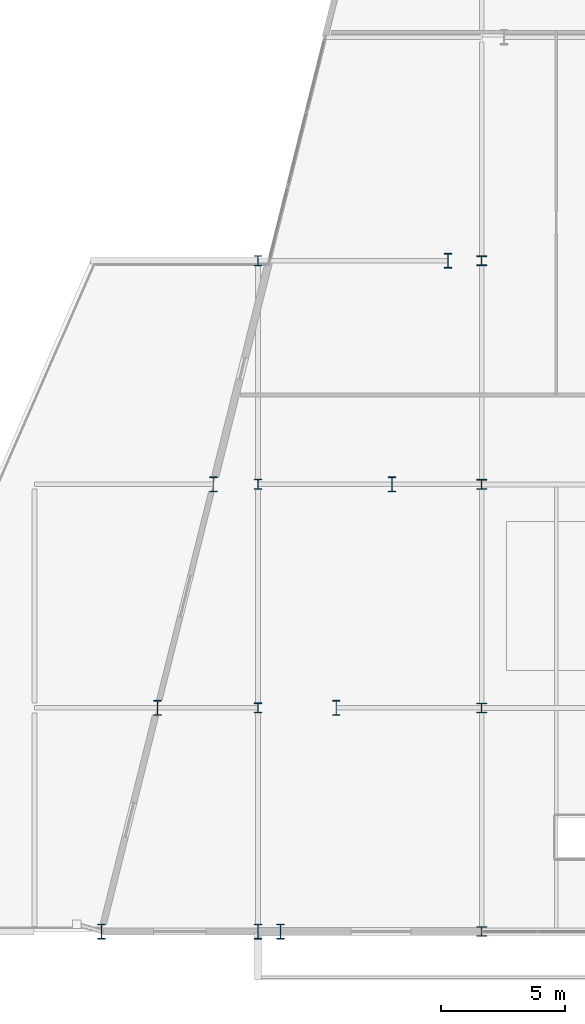
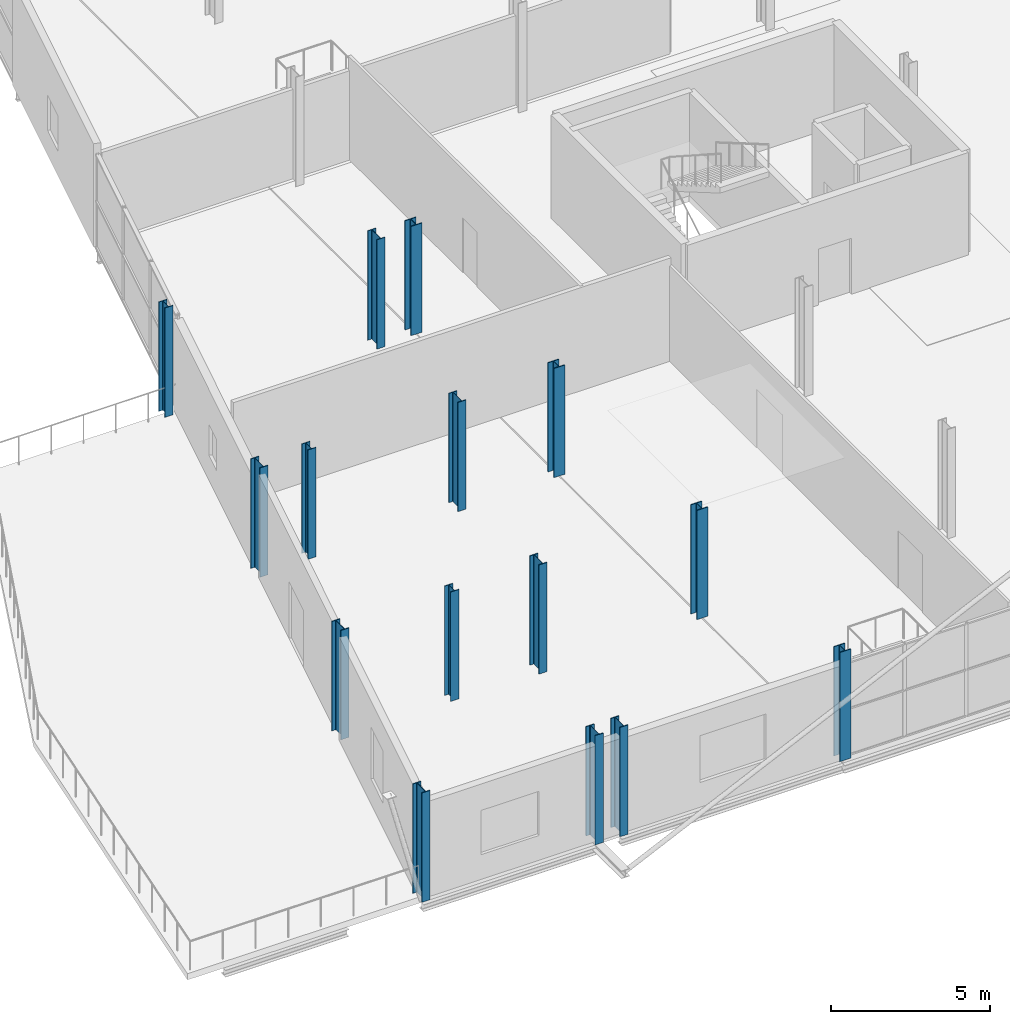
# One storey, part 2 of 59: 15 columns.
"""IFC4 building model written with IfcOpenShell, lengths in metres."""

from ifc_helpers import new_model, si_unit, direction, frame, origin, origin_2d, place, context, subcontext, project, spatial, i_section, extrude, material, material_profile, profile_set, type_object, element, save


model = new_model("IFC4")

# Units and contexts
model_context = context("Model", 3, precision=1e-05, world=origin(), true_north=direction((0.0, 1.0)))
body_context = subcontext(model_context, "Body", "Model", "MODEL_VIEW")
ifc_project = project(units=[si_unit("LENGTHUNIT", "METRE"), si_unit("AREAUNIT", "SQUARE_METRE"), si_unit("VOLUMEUNIT", "CUBIC_METRE"), si_unit("PLANEANGLEUNIT", "RADIAN"), si_unit("MASSUNIT", "GRAM", prefix="KILO")], contexts=[model_context])

# Site, building, storey
site_placement = place(None, origin())
site = spatial("IfcSite", under=ifc_project, at=site_placement, CompositionType="ELEMENT")
building_placement = place(site_placement, origin())
building = spatial("IfcBuilding", under=site, at=building_placement, Name="Deido Ridge Mobility Hub", CompositionType="ELEMENT")
storey_placement = place(building_placement, frame((0.0, 0.0, 21.0)))
storey = spatial("IfcBuildingStorey", under=building, at=storey_placement, Name="L05", CompositionType="ELEMENT", Elevation=21.0)

# Columns
ifc_material = material(Name="Steel S355J2 EN 10025-2", Category="steel")
ifc_material_profile_1 = material_profile(ifc_material, i_section(OverallWidth=0.39892578125, OverallDepth=0.39306640625, WebThickness=0.017578125, FlangeThickness=0.028076171875, FilletRadius=0.014892578125, at=origin_2d()), Name="HD 400x287")
ifc_profile_set_1 = profile_set([ifc_material_profile_1], Name="Steel S355J2 EN 10025-2")
column_type_1 = type_object("IfcColumnType", Name="COL-HD400-287", PredefinedType="COLUMN", material=ifc_profile_set_1)
for number, where, z_axis, x_axis, name in (
    (1, (144.0, 0.0, 0.0), (0.0, 0.0, 1.0), (1.0, 0.0, 0.0), "Structural column C2"),
    (2, (144.0, 9.0, 0.0), (0.0, 0.0, 1.0), (1.0, 0.0, 0.0), "Structural column C2"),
    (3, (144.0, 18.0, 0.0), (0.0, 0.0, 1.0), (1.0, 0.0, 0.0), "Structural column C2"),
    (4, (144.0, 27.0, 0.0), (0.0, 0.0, 1.0), (1.0, 0.0, 0.0), "Structural column C2"),
):
    element("IfcColumn", number, at=place(storey_placement, frame(where, z_axis=z_axis, x_axis=x_axis)), inside=storey, type_object=column_type_1, Name=name, PredefinedType="COLUMN", context=body_context, shape_type="SweptSolid", body=[
        extrude(i_section(OverallWidth=0.39892578125, OverallDepth=0.39306640625, WebThickness=0.017578125, FlangeThickness=0.028076171875, FilletRadius=0.014892578125, at=origin_2d()), origin(), (0.0, 0.0, 1.0), 4.199951171875),
    ])
ifc_material_profile_2 = material_profile(ifc_material, i_section(OverallWidth=0.300048828125, OverallDepth=0.39990234375, WebThickness=0.013427734375, FlangeThickness=0.02392578125, FilletRadius=0.027099609375, at=origin_2d()), Name="HEB 400")
ifc_profile_set_2 = profile_set([ifc_material_profile_2], Name="Steel S355J2 EN 10025-2")
column_type_2 = type_object("IfcColumnType", Name="COL-HEB400", PredefinedType="COLUMN", material=ifc_profile_set_2)
for number, where, z_axis, x_axis, name in (
    (5, (135.0, 9.0, 0.0), (0.0, 0.0, 1.0), (1.0, 0.0, 0.0), "Structural column C7"),
    (6, (135.0, 18.0, 0.0), (0.0, 0.0, 1.0), (1.0, 0.0, 0.0), "Structural column C7"),
    (7, (135.0, 27.0, 0.0), (0.0, 0.0, 1.0), (1.0, 0.0, 0.0), "Structural column C7"),
):
    element("IfcColumn", number, at=place(storey_placement, frame(where, z_axis=z_axis, x_axis=x_axis)), inside=storey, type_object=column_type_2, Name=name, PredefinedType="COLUMN", context=body_context, shape_type="SweptSolid", body=[
        extrude(i_section(OverallWidth=0.300048828125, OverallDepth=0.39990234375, WebThickness=0.013427734375, FlangeThickness=0.02392578125, FilletRadius=0.027099609375, at=origin_2d()), origin(), (0.0, 0.0, 1.0), 4.199951171875),
    ])
ifc_material_profile_3 = material_profile(ifc_material, i_section(OverallWidth=0.300048828125, OverallDepth=0.60009765625, WebThickness=0.015380859375, FlangeThickness=0.030029296875, FilletRadius=0.027099609375, at=origin_2d()), Name="HEB 600")
ifc_profile_set_3 = profile_set([ifc_material_profile_3], Name="Steel S355J2 EN 10025-2")
column_type_3 = type_object("IfcColumnType", Name="COL-HEB600", PredefinedType="COLUMN", material=ifc_profile_set_3)
for number, where, z_axis, x_axis, name in (
    (8, (128.699951171875, 0.0, 0.0), (0.0, 0.0, 1.0), (1.0, 0.0, 0.0), "Structural column C4"),
    (9, (135.0, 0.0, 0.0), (0.0, 0.0, 1.0), (1.0, 0.0, 0.0), "Structural column C4"),
    (10, (135.89990234375, 0.0, 0.0), (0.0, 0.0, 1.0), (1.0, 0.0, 0.0), "Structural column C4"),
    (11, (130.949951171875, 9.0, 0.0), (0.0, 0.0, 1.0), (1.0, 0.0, 0.0), "Structural column C4"),
    (12, (138.14990234375, 9.0, 0.0), (0.0, 0.0, 1.0), (1.0, 0.0, 0.0), "Structural column C4"),
    (13, (133.199951171875, 18.0, 0.0), (0.0, 0.0, 1.0), (1.0, 0.0, 0.0), "Structural column C4"),
    (14, (140.39990234375, 18.0, 0.0), (0.0, 0.0, 1.0), (1.0, 0.0, 0.0), "Structural column C4"),
    (15, (142.64990234375, 27.0, 0.0), (0.0, 0.0, 1.0), (1.0, 0.0, 0.0), "Structural column C4"),
):
    element("IfcColumn", number, at=place(storey_placement, frame(where, z_axis=z_axis, x_axis=x_axis)), inside=storey, type_object=column_type_3, Name=name, PredefinedType="COLUMN", context=body_context, shape_type="SweptSolid", body=[
        extrude(i_section(OverallWidth=0.300048828125, OverallDepth=0.60009765625, WebThickness=0.015380859375, FlangeThickness=0.030029296875, FilletRadius=0.027099609375, at=origin_2d()), origin(), (0.0, 0.0, 1.0), 4.199951171875),
    ])

save(model, "model.ifc")
